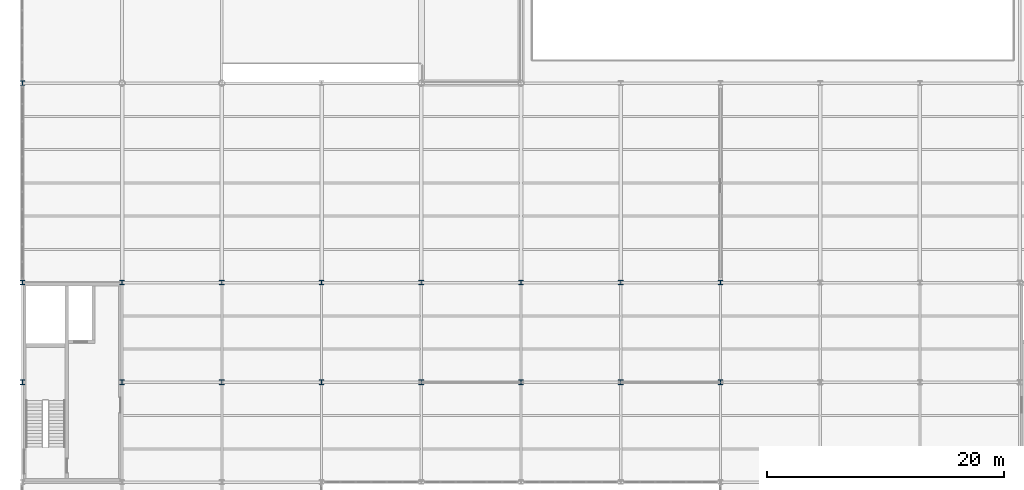
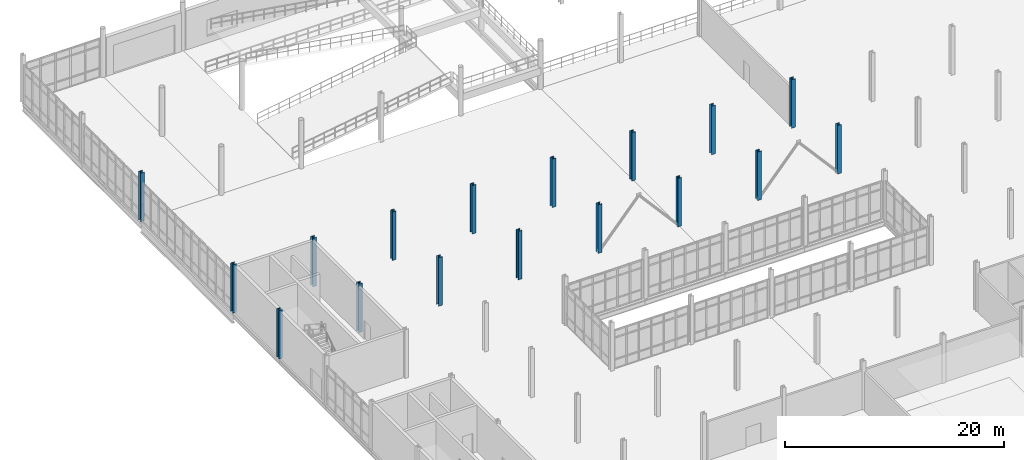
# One storey, part 8 of 111: 17 columns.
"""IFC4 building model written with IfcOpenShell, lengths in metres."""

from ifc_helpers import new_model, si_unit, direction, frame, origin, origin_2d, place, context, subcontext, project, spatial, i_section, extrude, material, material_profile, profile_set, type_object, element, save


model = new_model("IFC4")

# Units and contexts
model_context = context("Model", 3, precision=1e-05, world=origin(), true_north=direction((0.0, 1.0)))
body_context = subcontext(model_context, "Body", "Model", "MODEL_VIEW")
ifc_project = project(units=[si_unit("LENGTHUNIT", "METRE"), si_unit("AREAUNIT", "SQUARE_METRE"), si_unit("VOLUMEUNIT", "CUBIC_METRE"), si_unit("PLANEANGLEUNIT", "RADIAN"), si_unit("MASSUNIT", "GRAM", prefix="KILO"), si_unit("THERMODYNAMICTEMPERATUREUNIT", "KELVIN"), si_unit("POWERUNIT", "WATT")], contexts=[model_context])

# Site, building, storey
site_placement = place(None, origin())
site = spatial("IfcSite", under=ifc_project, at=site_placement, CompositionType="ELEMENT")
building_placement = place(site_placement, origin())
building = spatial("IfcBuilding", under=site, at=building_placement, Name="Tembeka Court Mobility Hub", CompositionType="ELEMENT")
storey_placement = place(building_placement, origin())
storey = spatial("IfcBuildingStorey", under=building, at=storey_placement, Name="L00", CompositionType="ELEMENT", Elevation=0.0)

# Columns
ifc_material = material(Name="Steel S355", Category="steel")
ifc_material_profile = material_profile(ifc_material, i_section(OverallWidth=0.39892578125, OverallDepth=0.39404296875, WebThickness=0.022705078125, FlangeThickness=0.03662109375, FilletRadius=0.01513671875, at=origin_2d()), Name="UKC 356x406x287")
ifc_profile_set = profile_set([ifc_material_profile], Name="Steel S355")
column_type = type_object("IfcColumnType", Name="COL-C01", PredefinedType="COLUMN", material=ifc_profile_set)
for number, where, z_axis, x_axis, name in (
    (1, (0.0, 72.0, 0.0), (0.0, 0.0, 1.0), (1.0, 0.0, 0.0), "Column C01 (L00-008)"),
    (2, (0.0, 80.39990234375, 0.0), (0.0, 0.0, 1.0), (1.0, 0.0, 0.0), "Column C01 (L00-009)"),
    (3, (0.0, 97.199951171875, 0.0), (0.0, 0.0, 1.0), (1.0, 0.0, 0.0), "Column C01 (L00-010)"),
    (4, (8.39990234375, 72.0, 0.0), (0.0, 0.0, 1.0), (1.0, 0.0, 0.0), "Column C01 (L00-020)"),
    (5, (8.39990234375, 80.39990234375, 0.0), (0.0, 0.0, 1.0), (1.0, 0.0, 0.0), "Column C01 (L00-021)"),
    (6, (16.800048828125, 72.0, 0.0), (0.0, 0.0, 1.0), (1.0, 0.0, 0.0), "Column C01 (L00-032)"),
    (7, (16.800048828125, 80.39990234375, 0.0), (0.0, 0.0, 1.0), (1.0, 0.0, 0.0), "Column C01 (L00-033)"),
    (8, (25.199951171875, 72.0, 0.0), (0.0, 0.0, 1.0), (1.0, 0.0, 0.0), "Column C01 (L00-043)"),
    (9, (25.199951171875, 80.39990234375, 0.0), (0.0, 0.0, 1.0), (1.0, 0.0, 0.0), "Column C01 (L00-044)"),
    (10, (33.60009765625, 72.0, 0.0), (0.0, 0.0, 1.0), (1.0, 0.0, 0.0), "Column C01 (L00-054)"),
    (11, (33.60009765625, 80.39990234375, 0.0), (0.0, 0.0, 1.0), (1.0, 0.0, 0.0), "Column C01 (L00-055)"),
    (12, (42.0, 72.0, 0.0), (0.0, 0.0, 1.0), (1.0, 0.0, 0.0), "Column C01 (L00-066)"),
    (13, (42.0, 80.39990234375, 0.0), (0.0, 0.0, 1.0), (1.0, 0.0, 0.0), "Column C01 (L00-067)"),
    (14, (50.39990234375, 72.0, 0.0), (0.0, 0.0, 1.0), (1.0, 0.0, 0.0), "Column C01 (L00-078)"),
    (15, (50.39990234375, 80.39990234375, 0.0), (0.0, 0.0, 1.0), (1.0, 0.0, 0.0), "Column C01 (L00-079)"),
    (16, (58.800048828125, 72.0, 0.0), (0.0, 0.0, 1.0), (1.0, 0.0, 0.0), "Column C01 (L00-089)"),
    (17, (58.800048828125, 80.39990234375, 0.0), (0.0, 0.0, 1.0), (1.0, 0.0, 0.0), "Column C01 (L00-090)"),
):
    element("IfcColumn", number, at=place(storey_placement, frame(where, z_axis=z_axis, x_axis=x_axis)), inside=storey, type_object=column_type, Name=name, PredefinedType="COLUMN", context=body_context, shape_type="SweptSolid", body=[
        extrude(i_section(OverallWidth=0.39892578125, OverallDepth=0.39404296875, WebThickness=0.022705078125, FlangeThickness=0.03662109375, FilletRadius=0.01513671875, at=origin_2d()), origin(), (0.0, 0.0, 1.0), 5.39990234375),
    ])

save(model, "model.ifc")
